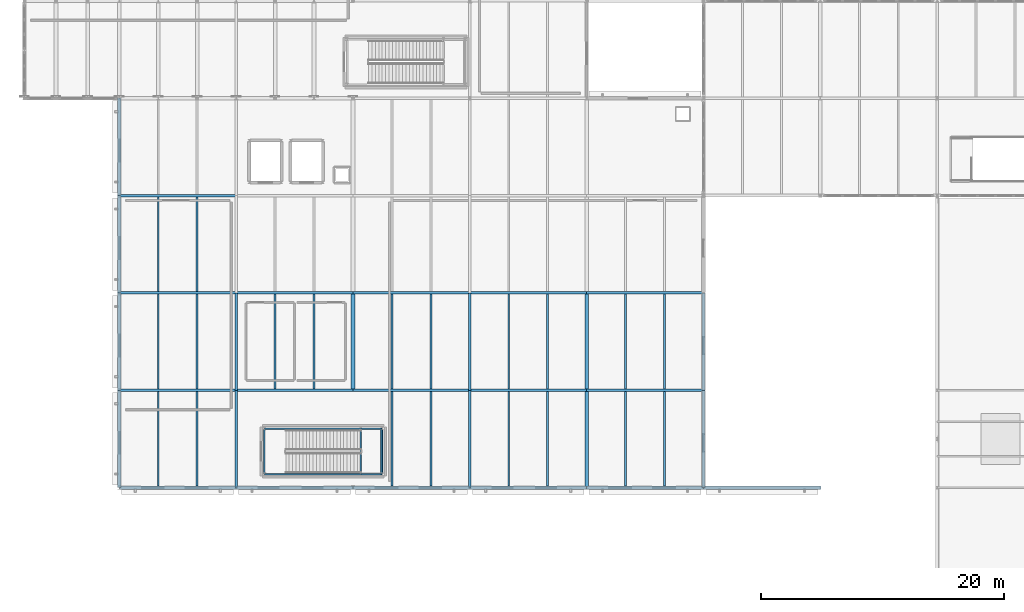
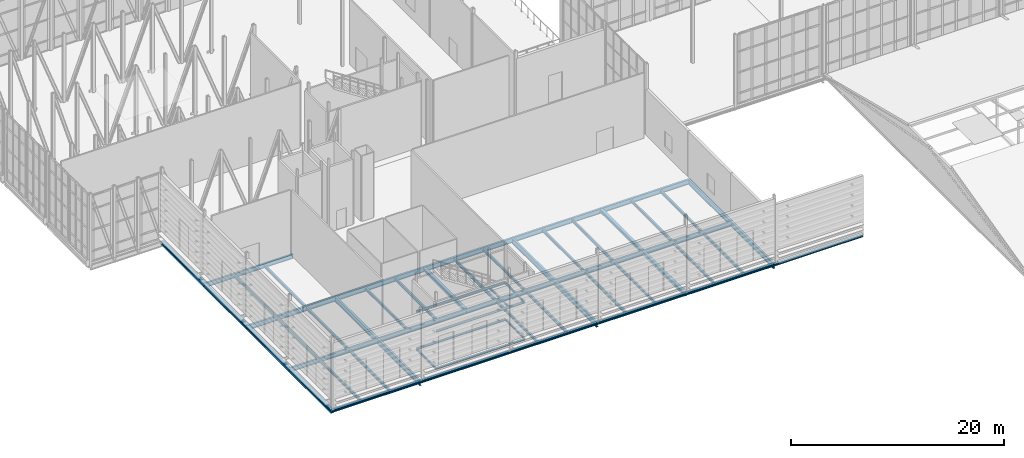
# One storey, part 15 of 73: 58 beams.
"""IFC4 building model written with IfcOpenShell, lengths in metres."""

from ifc_helpers import new_model, si_unit, direction, frame, origin, origin_2d, place, context, subcontext, project, spatial, i_section, extrude, material, material_profile, profile_set, type_object, element, save


model = new_model("IFC4")

# Units and contexts
model_context = context("Model", 3, precision=1e-05, world=origin(), true_north=direction((0.0, 1.0)))
body_context = subcontext(model_context, "Body", "Model", "MODEL_VIEW")
ifc_project = project(units=[si_unit("LENGTHUNIT", "METRE"), si_unit("AREAUNIT", "SQUARE_METRE"), si_unit("VOLUMEUNIT", "CUBIC_METRE"), si_unit("PLANEANGLEUNIT", "RADIAN"), si_unit("MASSUNIT", "GRAM", prefix="KILO")], contexts=[model_context])

# Site, building, storey
site_placement = place(None, origin())
site = spatial("IfcSite", under=ifc_project, at=site_placement, CompositionType="ELEMENT")
building_placement = place(site_placement, origin())
building = spatial("IfcBuilding", under=site, at=building_placement, Name="Alderhovde Museum", CompositionType="ELEMENT")
storey_placement = place(building_placement, frame((0.0, 0.0, 17.39990234375)))
storey = spatial("IfcBuildingStorey", under=building, at=storey_placement, Name="L04", CompositionType="ELEMENT", Elevation=17.39990234375)

# Beams
ifc_material_1 = material(Name="Steel S355J2", Category="steel")
ifc_material_profile_1 = material_profile(ifc_material_1, i_section(OverallWidth=0.300048828125, OverallDepth=0.389892578125, WebThickness=0.010986328125, FlangeThickness=0.01904296875, FilletRadius=0.027099609375, at=origin_2d()), Name="HEA 400")
ifc_profile_set_1 = profile_set([ifc_material_profile_1], Name="Steel S355J2")
beam_type_1 = type_object("IfcBeamType", Name="BM-HEA400", PredefinedType="BEAM", material=ifc_profile_set_1)
for number, where, z_axis, x_axis, name in (
    (1, (9.60009765625, 48.0, -0.474853515625), (0.0, 1.0, 0.0), (-1.0, 0.0, 0.0), "L04 Grid Beam X=9.6 (48.0 TO 56.0)"),
    (2, (9.60009765625, 56.0, -0.474853515625), (0.0, 1.0, 0.0), (-1.0, 0.0, 0.0), "L04 Grid Beam X=9.6 (56.0 TO 64.0)"),
    (3, (9.60009765625, 64.0, -0.474853515625), (0.0, 1.0, 0.0), (-1.0, 0.0, 0.0), "L04 Grid Beam X=9.6 (64.0 TO 72.0)"),
    (4, (9.60009765625, 72.0, -0.474853515625), (0.0, 1.0, 0.0), (-1.0, 0.0, 0.0), "L04 Grid Beam X=9.6 (72.0 TO 80.0)"),
    (5, (28.800048828125, 56.0, -0.474853515625), (0.0, 1.0, 0.0), (-1.0, 0.0, 0.0), "L04 Grid Beam X=28.8 (56.0 TO 64.0)"),
    (6, (48.0, 48.0, -0.474853515625), (0.0, 1.0, 0.0), (-1.0, 0.0, 0.0), "L04 Grid Beam X=48.0 (48.0 TO 56.0)"),
    (7, (48.0, 56.0, -0.474853515625), (0.0, 1.0, 0.0), (-1.0, 0.0, 0.0), "L04 Grid Beam X=48.0 (56.0 TO 64.0)"),
):
    element("IfcBeam", number, at=place(storey_placement, frame(where, z_axis=z_axis, x_axis=x_axis)), inside=storey, type_object=beam_type_1, Name=name, PredefinedType="BEAM", context=body_context, shape_type="SweptSolid", body=[
        extrude(i_section(OverallWidth=0.300048828125, OverallDepth=0.389892578125, WebThickness=0.010986328125, FlangeThickness=0.01904296875, FilletRadius=0.027099609375, at=origin_2d()), origin(), (0.0, 0.0, 1.0), 8.0),
    ])
ifc_material_2 = material(Name="Steel S355J2", Category="steel")
ifc_material_profile_2 = material_profile(ifc_material_2, i_section(OverallWidth=0.1201171875, OverallDepth=0.239990234375, WebThickness=0.006103515625, FlangeThickness=0.009765625, FilletRadius=0.014892578125, at=origin_2d()), Name="IPE 240")
ifc_profile_set_2 = profile_set([ifc_material_profile_2], Name="Steel S355J2")
beam_type_2 = type_object("IfcBeamType", Name="BM-IPE240", PredefinedType="BEAM", material=ifc_profile_set_2)
for number, where, z_axis, x_axis, name in (
    (8, (21.52001953125, 49.1201171875, -0.39990234375), (1.0, 0.0, 0.0), (0.0, 1.0, 0.0), "L04 Stair ST1 Floor Trimmer S"),
    (9, (21.52001953125, 52.840087890625, -0.39990234375), (1.0, 0.0, 0.0), (0.0, 1.0, 0.0), "L04 Stair ST1 Floor Trimmer N"),
):
    element("IfcBeam", number, at=place(storey_placement, frame(where, z_axis=z_axis, x_axis=x_axis)), inside=storey, type_object=beam_type_2, Name=name, PredefinedType="BEAM", context=body_context, shape_type="SweptSolid", body=[
        extrude(i_section(OverallWidth=0.1201171875, OverallDepth=0.239990234375, WebThickness=0.006103515625, FlangeThickness=0.009765625, FilletRadius=0.014892578125, at=origin_2d()), origin(), (0.0, 0.0, 1.0), 9.679931640625),
    ])
for number, where, z_axis, x_axis, name in (
    (10, (21.52001953125, 49.1201171875, -0.39990234375), (0.0, 1.0, 0.0), (-1.0, 0.0, 0.0), "L04 Stair ST1 Floor Trimmer W"),
    (11, (31.199951171875, 49.1201171875, -0.39990234375), (0.0, 1.0, 0.0), (-1.0, 0.0, 0.0), "L04 Stair ST1 Floor Trimmer E"),
):
    element("IfcBeam", number, at=place(storey_placement, frame(where, z_axis=z_axis, x_axis=x_axis)), inside=storey, type_object=beam_type_2, Name=name, PredefinedType="BEAM", context=body_context, shape_type="SweptSolid", body=[
        extrude(i_section(OverallWidth=0.1201171875, OverallDepth=0.239990234375, WebThickness=0.006103515625, FlangeThickness=0.009765625, FilletRadius=0.014892578125, at=origin_2d()), origin(), (0.0, 0.0, 1.0), 3.719970703125),
    ])
for number, where, z_axis, x_axis, name in (
    (12, (21.52001953125, 49.1201171875, 3.880126953125), (1.0, 0.0, 0.0), (0.0, 1.0, 0.0), "L04 Stair ST1 Landing 1 Beam S"),
    (13, (21.52001953125, 52.840087890625, 3.880126953125), (1.0, 0.0, 0.0), (0.0, 1.0, 0.0), "L04 Stair ST1 Landing 1 Beam N"),
):
    element("IfcBeam", number, at=place(storey_placement, frame(where, z_axis=z_axis, x_axis=x_axis)), inside=storey, type_object=beam_type_2, Name=name, PredefinedType="BEAM", context=body_context, shape_type="SweptSolid", body=[
        extrude(i_section(OverallWidth=0.1201171875, OverallDepth=0.239990234375, WebThickness=0.006103515625, FlangeThickness=0.009765625, FilletRadius=0.014892578125, at=origin_2d()), origin(), (0.0, 0.0, 1.0), 9.679931640625),
    ])
for number, where, z_axis, x_axis, name in (
    (14, (29.43994140625, 49.1201171875, 3.880126953125), (0.0, 1.0, 0.0), (-1.0, 0.0, 0.0), "L04 Stair ST1 Landing 1 Beam W"),
    (15, (31.1201171875, 49.1201171875, 3.880126953125), (0.0, 1.0, 0.0), (-1.0, 0.0, 0.0), "L04 Stair ST1 Landing 1 Beam E"),
):
    element("IfcBeam", number, at=place(storey_placement, frame(where, z_axis=z_axis, x_axis=x_axis)), inside=storey, type_object=beam_type_2, Name=name, PredefinedType="BEAM", context=body_context, shape_type="SweptSolid", body=[
        extrude(i_section(OverallWidth=0.1201171875, OverallDepth=0.239990234375, WebThickness=0.006103515625, FlangeThickness=0.009765625, FilletRadius=0.014892578125, at=origin_2d()), origin(), (0.0, 0.0, 1.0), 3.719970703125),
    ])
ifc_material_3 = material(Name="Steel S355J2", Category="steel")
ifc_material_profile_3 = material_profile(ifc_material_3, i_section(OverallWidth=0.199951171875, OverallDepth=0.5, WebThickness=0.01025390625, FlangeThickness=0.01611328125, FilletRadius=0.02099609375, at=origin_2d()), Name="IPE 500")
ifc_profile_set_3 = profile_set([ifc_material_profile_3], Name="Steel S355J2")
beam_type_3 = type_object("IfcBeamType", Name="BM-IPE500", PredefinedType="BEAM", material=ifc_profile_set_3)
beam_1_placement = place(storey_placement, frame((9.60009765625, 56.0, -0.52978515625), z_axis=(1.0, 0.0, 0.0), x_axis=(0.0, 1.0, 0.0)))
element("IfcBeam", 16, at=beam_1_placement, inside=storey, type_object=beam_type_3, Name="L04 Grid Beam Y=56.0 (9.6 TO 19.2)", PredefinedType="BEAM", context=body_context, shape_type="SweptSolid", body=[
    extrude(i_section(OverallWidth=0.199951171875, OverallDepth=0.5, WebThickness=0.01025390625, FlangeThickness=0.01611328125, FilletRadius=0.02099609375, at=origin_2d()), origin(), (0.0, 0.0, 1.0), 9.599853515625),
])
beam_2_placement = place(storey_placement, frame((19.199951171875, 56.0, -0.52978515625), z_axis=(1.0, 0.0, 0.0), x_axis=(0.0, 1.0, 0.0)))
element("IfcBeam", 17, at=beam_2_placement, inside=storey, type_object=beam_type_3, Name="L04 Grid Beam Y=56.0 (19.2 TO 28.8)", PredefinedType="BEAM", context=body_context, shape_type="SweptSolid", body=[
    extrude(i_section(OverallWidth=0.199951171875, OverallDepth=0.5, WebThickness=0.01025390625, FlangeThickness=0.01611328125, FilletRadius=0.02099609375, at=origin_2d()), origin(), (0.0, 0.0, 1.0), 9.60009765625),
])
beam_3_placement = place(storey_placement, frame((28.800048828125, 56.0, -0.52978515625), z_axis=(1.0, 0.0, 0.0), x_axis=(0.0, 1.0, 0.0)))
element("IfcBeam", 18, at=beam_3_placement, inside=storey, type_object=beam_type_3, Name="L04 Grid Beam Y=56.0 (28.8 TO 38.4)", PredefinedType="BEAM", context=body_context, shape_type="SweptSolid", body=[
    extrude(i_section(OverallWidth=0.199951171875, OverallDepth=0.5, WebThickness=0.01025390625, FlangeThickness=0.01611328125, FilletRadius=0.02099609375, at=origin_2d()), origin(), (0.0, 0.0, 1.0), 9.599853515625),
])
for number, where, z_axis, x_axis, name in (
    (19, (38.39990234375, 56.0, -0.52978515625), (1.0, 0.0, 0.0), (0.0, 1.0, 0.0), "L04 Grid Beam Y=56.0 (38.4 TO 48.0)"),
    (20, (48.0, 56.0, -0.52978515625), (1.0, 0.0, 0.0), (0.0, 1.0, 0.0), "L04 Grid Beam Y=56.0 (48.0 TO 57.6)"),
):
    element("IfcBeam", number, at=place(storey_placement, frame(where, z_axis=z_axis, x_axis=x_axis)), inside=storey, type_object=beam_type_3, Name=name, PredefinedType="BEAM", context=body_context, shape_type="SweptSolid", body=[
        extrude(i_section(OverallWidth=0.199951171875, OverallDepth=0.5, WebThickness=0.01025390625, FlangeThickness=0.01611328125, FilletRadius=0.02099609375, at=origin_2d()), origin(), (0.0, 0.0, 1.0), 9.60009765625),
    ])
beam_4_placement = place(storey_placement, frame((9.60009765625, 72.0, -0.52978515625), z_axis=(1.0, 0.0, 0.0), x_axis=(0.0, 1.0, 0.0)))
element("IfcBeam", 21, at=beam_4_placement, inside=storey, type_object=beam_type_3, Name="L04 Grid Beam Y=72.0 (9.6 TO 19.2)", PredefinedType="BEAM", context=body_context, shape_type="SweptSolid", body=[
    extrude(i_section(OverallWidth=0.199951171875, OverallDepth=0.5, WebThickness=0.01025390625, FlangeThickness=0.01611328125, FilletRadius=0.02099609375, at=origin_2d()), origin(), (0.0, 0.0, 1.0), 9.599853515625),
])
ifc_material_4 = material(Name="Steel S355J2", Category="steel")
ifc_material_profile_4 = material_profile(ifc_material_4, i_section(OverallWidth=0.2099609375, OverallDepth=0.550048828125, WebThickness=0.010986328125, FlangeThickness=0.01708984375, FilletRadius=0.02392578125, at=origin_2d()), Name="IPE 550")
ifc_profile_set_4 = profile_set([ifc_material_profile_4], Name="Steel S355J2")
beam_type_4 = type_object("IfcBeamType", Name="BM-IPE550", PredefinedType="BEAM", material=ifc_profile_set_4)
beam_5_placement = place(storey_placement, frame((9.60009765625, 64.0, -0.554931640625), z_axis=(1.0, 0.0, 0.0), x_axis=(0.0, 1.0, 0.0)))
element("IfcBeam", 22, at=beam_5_placement, inside=storey, type_object=beam_type_4, Name="L04 Grid Beam Y=64.0 (9.6 TO 19.2)", PredefinedType="BEAM", context=body_context, shape_type="SweptSolid", body=[
    extrude(i_section(OverallWidth=0.2099609375, OverallDepth=0.550048828125, WebThickness=0.010986328125, FlangeThickness=0.01708984375, FilletRadius=0.02392578125, at=origin_2d()), origin(), (0.0, 0.0, 1.0), 9.599853515625),
])
beam_6_placement = place(storey_placement, frame((19.199951171875, 64.0, -0.554931640625), z_axis=(1.0, 0.0, 0.0), x_axis=(0.0, 1.0, 0.0)))
element("IfcBeam", 23, at=beam_6_placement, inside=storey, type_object=beam_type_4, Name="L04 Grid Beam Y=64.0 (19.2 TO 28.8)", PredefinedType="BEAM", context=body_context, shape_type="SweptSolid", body=[
    extrude(i_section(OverallWidth=0.2099609375, OverallDepth=0.550048828125, WebThickness=0.010986328125, FlangeThickness=0.01708984375, FilletRadius=0.02392578125, at=origin_2d()), origin(), (0.0, 0.0, 1.0), 9.60009765625),
])
beam_7_placement = place(storey_placement, frame((28.800048828125, 64.0, -0.554931640625), z_axis=(1.0, 0.0, 0.0), x_axis=(0.0, 1.0, 0.0)))
element("IfcBeam", 24, at=beam_7_placement, inside=storey, type_object=beam_type_4, Name="L04 Grid Beam Y=64.0 (28.8 TO 38.4)", PredefinedType="BEAM", context=body_context, shape_type="SweptSolid", body=[
    extrude(i_section(OverallWidth=0.2099609375, OverallDepth=0.550048828125, WebThickness=0.010986328125, FlangeThickness=0.01708984375, FilletRadius=0.02392578125, at=origin_2d()), origin(), (0.0, 0.0, 1.0), 9.599853515625),
])
for number, where, z_axis, x_axis, name in (
    (25, (38.39990234375, 64.0, -0.554931640625), (1.0, 0.0, 0.0), (0.0, 1.0, 0.0), "L04 Grid Beam Y=64.0 (38.4 TO 48.0)"),
    (26, (48.0, 64.0, -0.554931640625), (1.0, 0.0, 0.0), (0.0, 1.0, 0.0), "L04 Grid Beam Y=64.0 (48.0 TO 57.6)"),
):
    element("IfcBeam", number, at=place(storey_placement, frame(where, z_axis=z_axis, x_axis=x_axis)), inside=storey, type_object=beam_type_4, Name=name, PredefinedType="BEAM", context=body_context, shape_type="SweptSolid", body=[
        extrude(i_section(OverallWidth=0.2099609375, OverallDepth=0.550048828125, WebThickness=0.010986328125, FlangeThickness=0.01708984375, FilletRadius=0.02392578125, at=origin_2d()), origin(), (0.0, 0.0, 1.0), 9.60009765625),
    ])
ifc_material_5 = material(Name="Steel S355J2", Category="steel")
ifc_material_profile_5 = material_profile(ifc_material_5, i_section(OverallWidth=0.219970703125, OverallDepth=0.60009765625, WebThickness=0.011962890625, FlangeThickness=0.01904296875, FilletRadius=0.02392578125, at=origin_2d()), Name="IPE 600")
ifc_profile_set_5 = profile_set([ifc_material_profile_5], Name="Steel S355J2")
beam_type_5 = type_object("IfcBeamType", Name="BM-IPE600", PredefinedType="BEAM", material=ifc_profile_set_5)
for number, where, z_axis, x_axis, name in (
    (27, (19.199951171875, 48.0, -0.579833984375), (0.0, 1.0, 0.0), (-1.0, 0.0, 0.0), "L04 Grid Beam X=19.2 (48.0 TO 56.0)"),
    (28, (19.199951171875, 56.0, -0.579833984375), (0.0, 1.0, 0.0), (-1.0, 0.0, 0.0), "L04 Grid Beam X=19.2 (56.0 TO 64.0)"),
    (29, (38.39990234375, 48.0, -0.579833984375), (0.0, 1.0, 0.0), (-1.0, 0.0, 0.0), "L04 Grid Beam X=38.4 (48.0 TO 56.0)"),
    (30, (38.39990234375, 56.0, -0.579833984375), (0.0, 1.0, 0.0), (-1.0, 0.0, 0.0), "L04 Grid Beam X=38.4 (56.0 TO 64.0)"),
    (31, (57.60009765625, 48.0, -0.579833984375), (0.0, 1.0, 0.0), (-1.0, 0.0, 0.0), "L04 Grid Beam X=57.6 (48.0 TO 56.0)"),
    (32, (57.60009765625, 56.0, -0.579833984375), (0.0, 1.0, 0.0), (-1.0, 0.0, 0.0), "L04 Grid Beam X=57.6 (56.0 TO 64.0)"),
):
    element("IfcBeam", number, at=place(storey_placement, frame(where, z_axis=z_axis, x_axis=x_axis)), inside=storey, type_object=beam_type_5, Name=name, PredefinedType="BEAM", context=body_context, shape_type="SweptSolid", body=[
        extrude(i_section(OverallWidth=0.219970703125, OverallDepth=0.60009765625, WebThickness=0.011962890625, FlangeThickness=0.01904296875, FilletRadius=0.02392578125, at=origin_2d()), origin(), (0.0, 0.0, 1.0), 8.0),
    ])
ifc_material_6 = material(Name="Steel S355J2", Category="steel")
ifc_material_profile_6 = material_profile(ifc_material_6, i_section(OverallWidth=0.159912109375, OverallDepth=0.330078125, WebThickness=0.007568359375, FlangeThickness=0.011474609375, FilletRadius=0.01806640625, at=origin_2d()), Name="IPE 330")
ifc_profile_set_6 = profile_set([ifc_material_profile_6], Name="Steel S355J2")
beam_type_6 = type_object("IfcBeamType", Name="JST-IPE330", PredefinedType="JOIST", material=ifc_profile_set_6)
for number, where, z_axis, x_axis, name in (
    (33, (12.800048828125, 48.1298828125, -0.44482421875), (0.0, 1.0, 0.0), (-1.0, 0.0, 0.0), "L04 Composite Joist X=12.8 (48.0 TO 56.0)"),
    (34, (16.0, 48.1298828125, -0.44482421875), (0.0, 1.0, 0.0), (-1.0, 0.0, 0.0), "L04 Composite Joist X=16.0 (48.0 TO 56.0)"),
):
    element("IfcBeam", number, at=place(storey_placement, frame(where, z_axis=z_axis, x_axis=x_axis)), inside=storey, type_object=beam_type_6, Name=name, PredefinedType="JOIST", context=body_context, shape_type="SweptSolid", body=[
        extrude(i_section(OverallWidth=0.159912109375, OverallDepth=0.330078125, WebThickness=0.007568359375, FlangeThickness=0.011474609375, FilletRadius=0.01806640625, at=origin_2d()), origin(), (0.0, 0.0, 1.0), 7.77001953125),
    ])
for number, where, z_axis, x_axis, name in (
    (35, (12.800048828125, 56.10009765625, -0.44482421875), (0.0, 1.0, 0.0), (-1.0, 0.0, 0.0), "L04 Composite Joist X=12.8 (56.0 TO 64.0)"),
    (36, (16.0, 56.10009765625, -0.44482421875), (0.0, 1.0, 0.0), (-1.0, 0.0, 0.0), "L04 Composite Joist X=16.0 (56.0 TO 64.0)"),
    (37, (12.800048828125, 64.10498046875, -0.44482421875), (0.0, 1.0, 0.0), (-1.0, 0.0, 0.0), "L04 Composite Joist X=12.8 (64.0 TO 72.0)"),
    (38, (16.0, 64.10498046875, -0.44482421875), (0.0, 1.0, 0.0), (-1.0, 0.0, 0.0), "L04 Composite Joist X=16.0 (64.0 TO 72.0)"),
    (39, (22.39990234375, 56.10009765625, -0.44482421875), (0.0, 1.0, 0.0), (-1.0, 0.0, 0.0), "L04 Composite Joist X=22.4 (56.0 TO 64.0)"),
    (40, (25.60009765625, 56.10009765625, -0.44482421875), (0.0, 1.0, 0.0), (-1.0, 0.0, 0.0), "L04 Composite Joist X=25.6 (56.0 TO 64.0)"),
):
    element("IfcBeam", number, at=place(storey_placement, frame(where, z_axis=z_axis, x_axis=x_axis)), inside=storey, type_object=beam_type_6, Name=name, PredefinedType="JOIST", context=body_context, shape_type="SweptSolid", body=[
        extrude(i_section(OverallWidth=0.159912109375, OverallDepth=0.330078125, WebThickness=0.007568359375, FlangeThickness=0.011474609375, FilletRadius=0.01806640625, at=origin_2d()), origin(), (0.0, 0.0, 1.0), 7.794921875),
    ])
for number, where, z_axis, x_axis, name in (
    (41, (32.0, 48.1298828125, -0.44482421875), (0.0, 1.0, 0.0), (-1.0, 0.0, 0.0), "L04 Composite Joist X=32.0 (48.0 TO 56.0)"),
    (42, (35.199951171875, 48.1298828125, -0.44482421875), (0.0, 1.0, 0.0), (-1.0, 0.0, 0.0), "L04 Composite Joist X=35.2 (48.0 TO 56.0)"),
):
    element("IfcBeam", number, at=place(storey_placement, frame(where, z_axis=z_axis, x_axis=x_axis)), inside=storey, type_object=beam_type_6, Name=name, PredefinedType="JOIST", context=body_context, shape_type="SweptSolid", body=[
        extrude(i_section(OverallWidth=0.159912109375, OverallDepth=0.330078125, WebThickness=0.007568359375, FlangeThickness=0.011474609375, FilletRadius=0.01806640625, at=origin_2d()), origin(), (0.0, 0.0, 1.0), 7.77001953125),
    ])
for number, where, z_axis, x_axis, name in (
    (43, (32.0, 56.10009765625, -0.44482421875), (0.0, 1.0, 0.0), (-1.0, 0.0, 0.0), "L04 Composite Joist X=32.0 (56.0 TO 64.0)"),
    (44, (35.199951171875, 56.10009765625, -0.44482421875), (0.0, 1.0, 0.0), (-1.0, 0.0, 0.0), "L04 Composite Joist X=35.2 (56.0 TO 64.0)"),
):
    element("IfcBeam", number, at=place(storey_placement, frame(where, z_axis=z_axis, x_axis=x_axis)), inside=storey, type_object=beam_type_6, Name=name, PredefinedType="JOIST", context=body_context, shape_type="SweptSolid", body=[
        extrude(i_section(OverallWidth=0.159912109375, OverallDepth=0.330078125, WebThickness=0.007568359375, FlangeThickness=0.011474609375, FilletRadius=0.01806640625, at=origin_2d()), origin(), (0.0, 0.0, 1.0), 7.794921875),
    ])
for number, where, z_axis, x_axis, name in (
    (45, (41.60009765625, 48.1298828125, -0.44482421875), (0.0, 1.0, 0.0), (-1.0, 0.0, 0.0), "L04 Composite Joist X=41.6 (48.0 TO 56.0)"),
    (46, (44.800048828125, 48.1298828125, -0.44482421875), (0.0, 1.0, 0.0), (-1.0, 0.0, 0.0), "L04 Composite Joist X=44.8 (48.0 TO 56.0)"),
):
    element("IfcBeam", number, at=place(storey_placement, frame(where, z_axis=z_axis, x_axis=x_axis)), inside=storey, type_object=beam_type_6, Name=name, PredefinedType="JOIST", context=body_context, shape_type="SweptSolid", body=[
        extrude(i_section(OverallWidth=0.159912109375, OverallDepth=0.330078125, WebThickness=0.007568359375, FlangeThickness=0.011474609375, FilletRadius=0.01806640625, at=origin_2d()), origin(), (0.0, 0.0, 1.0), 7.77001953125),
    ])
for number, where, z_axis, x_axis, name in (
    (47, (41.60009765625, 56.10009765625, -0.44482421875), (0.0, 1.0, 0.0), (-1.0, 0.0, 0.0), "L04 Composite Joist X=41.6 (56.0 TO 64.0)"),
    (48, (44.800048828125, 56.10009765625, -0.44482421875), (0.0, 1.0, 0.0), (-1.0, 0.0, 0.0), "L04 Composite Joist X=44.8 (56.0 TO 64.0)"),
):
    element("IfcBeam", number, at=place(storey_placement, frame(where, z_axis=z_axis, x_axis=x_axis)), inside=storey, type_object=beam_type_6, Name=name, PredefinedType="JOIST", context=body_context, shape_type="SweptSolid", body=[
        extrude(i_section(OverallWidth=0.159912109375, OverallDepth=0.330078125, WebThickness=0.007568359375, FlangeThickness=0.011474609375, FilletRadius=0.01806640625, at=origin_2d()), origin(), (0.0, 0.0, 1.0), 7.794921875),
    ])
for number, where, z_axis, x_axis, name in (
    (49, (51.199951171875, 48.1298828125, -0.44482421875), (0.0, 1.0, 0.0), (-1.0, 0.0, 0.0), "L04 Composite Joist X=51.2 (48.0 TO 56.0)"),
    (50, (54.39990234375, 48.1298828125, -0.44482421875), (0.0, 1.0, 0.0), (-1.0, 0.0, 0.0), "L04 Composite Joist X=54.4 (48.0 TO 56.0)"),
):
    element("IfcBeam", number, at=place(storey_placement, frame(where, z_axis=z_axis, x_axis=x_axis)), inside=storey, type_object=beam_type_6, Name=name, PredefinedType="JOIST", context=body_context, shape_type="SweptSolid", body=[
        extrude(i_section(OverallWidth=0.159912109375, OverallDepth=0.330078125, WebThickness=0.007568359375, FlangeThickness=0.011474609375, FilletRadius=0.01806640625, at=origin_2d()), origin(), (0.0, 0.0, 1.0), 7.77001953125),
    ])
for number, where, z_axis, x_axis, name in (
    (51, (51.199951171875, 56.10009765625, -0.44482421875), (0.0, 1.0, 0.0), (-1.0, 0.0, 0.0), "L04 Composite Joist X=51.2 (56.0 TO 64.0)"),
    (52, (54.39990234375, 56.10009765625, -0.44482421875), (0.0, 1.0, 0.0), (-1.0, 0.0, 0.0), "L04 Composite Joist X=54.4 (56.0 TO 64.0)"),
):
    element("IfcBeam", number, at=place(storey_placement, frame(where, z_axis=z_axis, x_axis=x_axis)), inside=storey, type_object=beam_type_6, Name=name, PredefinedType="JOIST", context=body_context, shape_type="SweptSolid", body=[
        extrude(i_section(OverallWidth=0.159912109375, OverallDepth=0.330078125, WebThickness=0.007568359375, FlangeThickness=0.011474609375, FilletRadius=0.01806640625, at=origin_2d()), origin(), (0.0, 0.0, 1.0), 7.794921875),
    ])
ifc_material_7 = material(Name="Steel S355J2", Category="steel")
ifc_material_profile_7 = material_profile(ifc_material_7, i_section(OverallWidth=0.260009765625, OverallDepth=0.25, WebThickness=0.007568359375, FlangeThickness=0.012451171875, FilletRadius=0.02392578125, at=origin_2d()), Name="HEA 260")
ifc_profile_set_7 = profile_set([ifc_material_profile_7], Name="Steel S355J2")
beam_type_7 = type_object("IfcBeamType", Name="SPD-HEA260", PredefinedType="SPANDREL", material=ifc_profile_set_7)
beam_8_placement = place(storey_placement, frame((9.60009765625, 48.0, -0.40478515625), z_axis=(1.0, 0.0, 0.0), x_axis=(0.0, 1.0, 0.0)))
element("IfcBeam", 53, at=beam_8_placement, inside=storey, type_object=beam_type_7, Name="L04 Grid Beam Y=48.0 (9.6 TO 19.2)", PredefinedType="SPANDREL", context=body_context, shape_type="SweptSolid", body=[
    extrude(i_section(OverallWidth=0.260009765625, OverallDepth=0.25, WebThickness=0.007568359375, FlangeThickness=0.012451171875, FilletRadius=0.02392578125, at=origin_2d()), origin(), (0.0, 0.0, 1.0), 9.599853515625),
])
beam_9_placement = place(storey_placement, frame((19.199951171875, 48.0, -0.40478515625), z_axis=(1.0, 0.0, 0.0), x_axis=(0.0, 1.0, 0.0)))
element("IfcBeam", 54, at=beam_9_placement, inside=storey, type_object=beam_type_7, Name="L04 Grid Beam Y=48.0 (19.2 TO 28.8)", PredefinedType="SPANDREL", context=body_context, shape_type="SweptSolid", body=[
    extrude(i_section(OverallWidth=0.260009765625, OverallDepth=0.25, WebThickness=0.007568359375, FlangeThickness=0.012451171875, FilletRadius=0.02392578125, at=origin_2d()), origin(), (0.0, 0.0, 1.0), 9.60009765625),
])
beam_10_placement = place(storey_placement, frame((28.800048828125, 48.0, -0.40478515625), z_axis=(1.0, 0.0, 0.0), x_axis=(0.0, 1.0, 0.0)))
element("IfcBeam", 55, at=beam_10_placement, inside=storey, type_object=beam_type_7, Name="L04 Grid Beam Y=48.0 (28.8 TO 38.4)", PredefinedType="SPANDREL", context=body_context, shape_type="SweptSolid", body=[
    extrude(i_section(OverallWidth=0.260009765625, OverallDepth=0.25, WebThickness=0.007568359375, FlangeThickness=0.012451171875, FilletRadius=0.02392578125, at=origin_2d()), origin(), (0.0, 0.0, 1.0), 9.599853515625),
])
for number, where, z_axis, x_axis, name in (
    (56, (38.39990234375, 48.0, -0.40478515625), (1.0, 0.0, 0.0), (0.0, 1.0, 0.0), "L04 Grid Beam Y=48.0 (38.4 TO 48.0)"),
    (57, (48.0, 48.0, -0.40478515625), (1.0, 0.0, 0.0), (0.0, 1.0, 0.0), "L04 Grid Beam Y=48.0 (48.0 TO 57.6)"),
):
    element("IfcBeam", number, at=place(storey_placement, frame(where, z_axis=z_axis, x_axis=x_axis)), inside=storey, type_object=beam_type_7, Name=name, PredefinedType="SPANDREL", context=body_context, shape_type="SweptSolid", body=[
        extrude(i_section(OverallWidth=0.260009765625, OverallDepth=0.25, WebThickness=0.007568359375, FlangeThickness=0.012451171875, FilletRadius=0.02392578125, at=origin_2d()), origin(), (0.0, 0.0, 1.0), 9.60009765625),
    ])
beam_11_placement = place(storey_placement, frame((57.60009765625, 48.0, -0.40478515625), z_axis=(1.0, 0.0, 0.0), x_axis=(0.0, 1.0, 0.0)))
element("IfcBeam", 58, at=beam_11_placement, inside=storey, type_object=beam_type_7, Name="L04 Folded Wing Fascia Beam Y=48", PredefinedType="SPANDREL", context=body_context, shape_type="SweptSolid", body=[
    extrude(i_section(OverallWidth=0.260009765625, OverallDepth=0.25, WebThickness=0.007568359375, FlangeThickness=0.012451171875, FilletRadius=0.02392578125, at=origin_2d()), origin(), (0.0, 0.0, 1.0), 9.599853515625),
])

save(model, "model.ifc")
